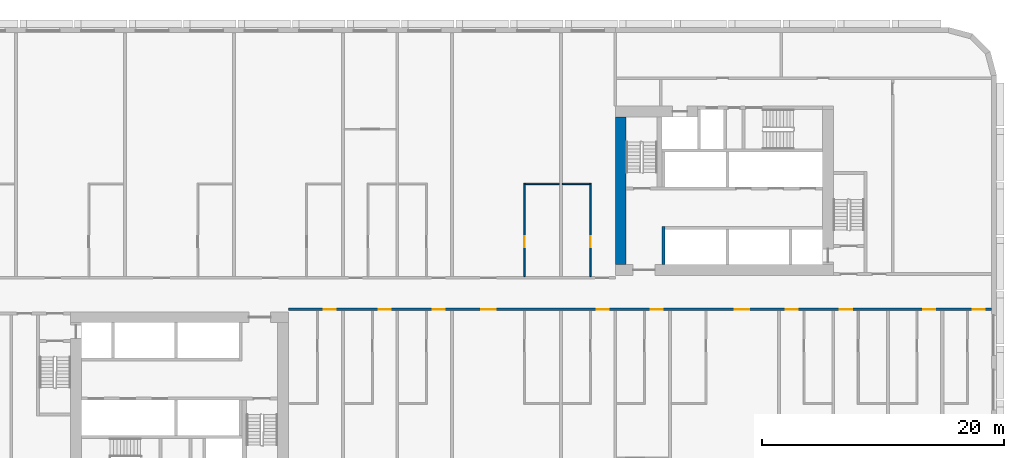
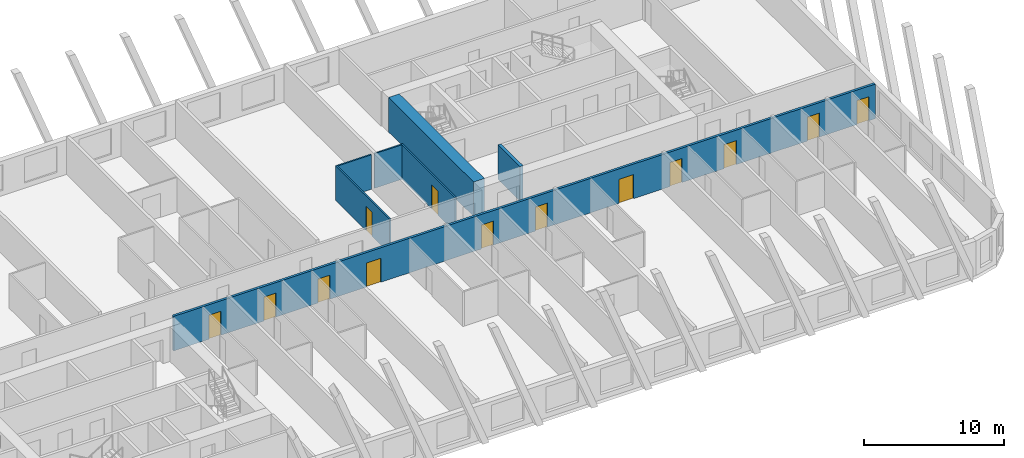
# One storey, part 5 of 13: 13 doors, 7 walls, 13 openings.
"""IFC4 building model written with IfcOpenShell, lengths in metres."""

from ifc_helpers import new_model, si_unit, direction, frame, frame_2d, origin, place, context, subcontext, project, spatial, rectangle, extrude, material, layer, layer_set, type_object, element, fill, save


model = new_model("IFC4")

# Units and contexts
model_context = context("Model", 3, precision=1e-05, world=origin(), true_north=direction((0.0, 1.0)))
body_context = subcontext(model_context, "Body", "Model", "MODEL_VIEW")
ifc_project = project(units=[si_unit("LENGTHUNIT", "METRE"), si_unit("AREAUNIT", "SQUARE_METRE"), si_unit("VOLUMEUNIT", "CUBIC_METRE"), si_unit("PLANEANGLEUNIT", "RADIAN"), si_unit("MASSUNIT", "GRAM", prefix="KILO")], contexts=[model_context])

# Site, building, storey
site_placement = place(None, origin())
site = spatial("IfcSite", under=ifc_project, at=site_placement, CompositionType="ELEMENT")
building_placement = place(site_placement, origin())
building = spatial("IfcBuilding", under=site, at=building_placement, Name="Kajstack Hotel Tower", CompositionType="ELEMENT")
storey_placement = place(building_placement, frame((0.0, 0.0, 79.800048828125)))
storey = spatial("IfcBuildingStorey", under=building, at=storey_placement, Name="L15", CompositionType="ELEMENT", Elevation=79.800048828125)

# Wall
ifc_material_1 = material(Name="Concrete C60/75", Category="concrete")
ifc_layer_1 = layer(ifc_material_1, 0.89990234375)
ifc_layer_set_1 = layer_set([ifc_layer_1], Name="Core wall 900")
wall_type_1 = type_object("IfcWallType", Name="Core wall 900", PredefinedType="SHEAR", material=ifc_layer_set_1)
wall_1_placement = place(storey_placement, frame((13.949951171875, 2.39990234375, 0.0), z_axis=(0.0, 0.0, 1.0), x_axis=(0.0, 1.0, 0.0)))
element("IfcWall", 1, at=wall_1_placement, inside=storey, type_object=wall_type_1, Name="Core wall E RE", PredefinedType="SHEAR", context=body_context, shape_type="SweptSolid", body=[
    extrude(rectangle(XDim=12.2001953125, YDim=0.89990234375, at=frame_2d((6.10009765625, 0.0))), origin(), (0.0, 0.0, 1.0), 3.02001953125),
])

# Wall, openings, doors
ifc_material_2 = material(Name="Gypsum board on steel studs, mineral wool", Category="steel")
ifc_layer_2 = layer(ifc_material_2, 0.199951171875)
ifc_layer_set_2 = layer_set([ifc_layer_2], Name="Corridor wall 200")
wall_type_2 = type_object("IfcWallType", Name="Corridor wall 200", PredefinedType="PARTITIONING", material=ifc_layer_set_2)
wall_2_placement = place(storey_placement, frame((-13.5, -1.300048828125, 0.0), z_axis=(0.0, 0.0, 1.0), x_axis=(1.0, 0.0, 0.0)))
wall_2 = element("IfcWall", 2, at=wall_2_placement, inside=storey, type_object=wall_type_2, Name="G-wall-L15-024", PredefinedType="PARTITIONING", context=body_context, shape_type="SweptSolid", body=[
    extrude(rectangle(XDim=58.050048828125, YDim=0.199951171875, at=frame_2d((29.02490234375, 0.0))), origin(), (0.0, 0.0, 1.0), 3.02001953125),
])
opening_1_placement = place(wall_2_placement, frame((2.925048828125, 0.0, 0.0)))
opening_1 = element("IfcOpeningElement", 3, at=opening_1_placement, cuts=wall_2, Name="Opening 15020", PredefinedType="OPENING", context=body_context, shape_type="SweptSolid", body=[
    extrude(rectangle(XDim=1.0, YDim=2.10009765625, at=frame_2d((0.5, 1.050048828125))), frame((0.0, 0.10986328125, 0.0), z_axis=(0.0, -1.0, 0.0), x_axis=(1.0, 0.0, 0.0)), (0.0, 0.0, 1.0), 0.219970703125),
])
opening_2_placement = place(wall_2_placement, frame((7.449951171875, 0.0, 0.0)))
opening_2 = element("IfcOpeningElement", 4, at=opening_2_placement, cuts=wall_2, Name="Opening 15022", PredefinedType="OPENING", context=body_context, shape_type="SweptSolid", body=[
    extrude(rectangle(XDim=1.0, YDim=2.10009765625, at=frame_2d((0.5, 1.050048828125))), frame((0.0, 0.10986328125, 0.0), z_axis=(0.0, -1.0, 0.0), x_axis=(1.0, 0.0, 0.0)), (0.0, 0.0, 1.0), 0.219970703125),
])
opening_3_placement = place(wall_2_placement, frame((11.925048828125, 0.0, 0.0)))
opening_3 = element("IfcOpeningElement", 5, at=opening_3_placement, cuts=wall_2, Name="Opening 15024", PredefinedType="OPENING", context=body_context, shape_type="SweptSolid", body=[
    extrude(rectangle(XDim=1.0, YDim=2.10009765625, at=frame_2d((0.5, 1.050048828125))), frame((0.0, 0.10986328125, 0.0), z_axis=(0.0, -1.0, 0.0), x_axis=(1.0, 0.0, 0.0)), (0.0, 0.0, 1.0), 0.219970703125),
])
opening_4_placement = place(wall_2_placement, frame((15.93798828125, 0.0, 0.0)))
opening_4 = element("IfcOpeningElement", 6, at=opening_4_placement, cuts=wall_2, Name="Opening 15026", PredefinedType="OPENING", context=body_context, shape_type="SweptSolid", body=[
    extrude(rectangle(XDim=1.199951171875, YDim=2.10009765625, at=frame_2d((0.60009765625, 1.050048828125))), frame((0.0, 0.10986328125, 0.0), z_axis=(0.0, -1.0, 0.0), x_axis=(1.0, 0.0, 0.0)), (0.0, 0.0, 1.0), 0.219970703125),
])
opening_5_placement = place(wall_2_placement, frame((25.449951171875, 0.0, 0.0)))
opening_5 = element("IfcOpeningElement", 7, at=opening_5_placement, cuts=wall_2, Name="Opening 15028", PredefinedType="OPENING", context=body_context, shape_type="SweptSolid", body=[
    extrude(rectangle(XDim=1.0, YDim=2.10009765625, at=frame_2d((0.5, 1.050048828125))), frame((0.0, 0.10986328125, 0.0), z_axis=(0.0, -1.0, 0.0), x_axis=(1.0, 0.0, 0.0)), (0.0, 0.0, 1.0), 0.219970703125),
])
opening_6_placement = place(wall_2_placement, frame((29.925048828125, 0.0, 0.0)))
opening_6 = element("IfcOpeningElement", 8, at=opening_6_placement, cuts=wall_2, Name="Opening 15030", PredefinedType="OPENING", context=body_context, shape_type="SweptSolid", body=[
    extrude(rectangle(XDim=1.0, YDim=2.10009765625, at=frame_2d((0.5, 1.050048828125))), frame((0.0, 0.10986328125, 0.0), z_axis=(0.0, -1.0, 0.0), x_axis=(1.0, 0.0, 0.0)), (0.0, 0.0, 1.0), 0.219970703125),
])
opening_7_placement = place(wall_2_placement, frame((36.862060546875, 0.0, 0.0)))
opening_7 = element("IfcOpeningElement", 9, at=opening_7_placement, cuts=wall_2, Name="Opening 15033", PredefinedType="OPENING", context=body_context, shape_type="SweptSolid", body=[
    extrude(rectangle(XDim=1.199951171875, YDim=2.10009765625, at=frame_2d((0.60009765625, 1.050048828125))), frame((0.0, 0.10986328125, 0.0), z_axis=(0.0, -1.0, 0.0), x_axis=(1.0, 0.0, 0.0)), (0.0, 0.0, 1.0), 0.219970703125),
])
opening_8_placement = place(wall_2_placement, frame((41.074951171875, 0.0, 0.0)))
opening_8 = element("IfcOpeningElement", 10, at=opening_8_placement, cuts=wall_2, Name="Opening 15035", PredefinedType="OPENING", context=body_context, shape_type="SweptSolid", body=[
    extrude(rectangle(XDim=1.0, YDim=2.10009765625, at=frame_2d((0.5, 1.050048828125))), frame((0.0, 0.10986328125, 0.0), z_axis=(0.0, -1.0, 0.0), x_axis=(1.0, 0.0, 0.0)), (0.0, 0.0, 1.0), 0.219970703125),
])
opening_9_placement = place(wall_2_placement, frame((45.550048828125, 0.0, 0.0)))
opening_9 = element("IfcOpeningElement", 11, at=opening_9_placement, cuts=wall_2, Name="Opening 15037", PredefinedType="OPENING", context=body_context, shape_type="SweptSolid", body=[
    extrude(rectangle(XDim=1.0, YDim=2.10009765625, at=frame_2d((0.5, 1.050048828125))), frame((0.0, 0.10986328125, 0.0), z_axis=(0.0, -1.0, 0.0), x_axis=(1.0, 0.0, 0.0)), (0.0, 0.0, 1.0), 0.219970703125),
])
opening_10_placement = place(wall_2_placement, frame((52.425048828125, 0.0, 0.0)))
opening_10 = element("IfcOpeningElement", 12, at=opening_10_placement, cuts=wall_2, Name="Opening 15039", PredefinedType="OPENING", context=body_context, shape_type="SweptSolid", body=[
    extrude(rectangle(XDim=1.0, YDim=2.10009765625, at=frame_2d((0.5, 1.050048828125))), frame((0.0, 0.10986328125, 0.0), z_axis=(0.0, -1.0, 0.0), x_axis=(1.0, 0.0, 0.0)), (0.0, 0.0, 1.0), 0.219970703125),
])
opening_11_placement = place(wall_2_placement, frame((56.52490234375, 0.0, 0.0)))
opening_11 = element("IfcOpeningElement", 13, at=opening_11_placement, cuts=wall_2, Name="Opening 15041", PredefinedType="OPENING", context=body_context, shape_type="SweptSolid", body=[
    extrude(rectangle(XDim=1.0, YDim=2.10009765625, at=frame_2d((0.5, 1.050048828125))), frame((0.0, 0.10986328125, 0.0), z_axis=(0.0, -1.0, 0.0), x_axis=(1.0, 0.0, 0.0)), (0.0, 0.0, 1.0), 0.219970703125),
])
ifc_material_3 = material(Name="Oak veneer on timber core, fire-rated leaf", Category="wood")
door_type_1 = type_object("IfcDoorType", Name="Flat entrance door 1000", OperationType="SINGLE_SWING_LEFT", PredefinedType="DOOR", material=ifc_material_3)
door_1_placement = place(opening_1_placement, origin())
door_1 = element("IfcDoor", 14, at=door_1_placement, inside=storey, type_object=door_type_1, Name="G-door-L15-20", OperationType="SINGLE_SWING_LEFT", OverallHeight=2.10009765625, OverallWidth=1.0, PredefinedType="DOOR", context=body_context, shape_type="SweptSolid", body=[
    extrude(rectangle(XDim=1.0, YDim=2.10009765625, at=frame_2d((0.5, 1.050048828125))), frame((0.0, 0.02490234375, 0.0), z_axis=(0.0, -1.0, 0.0), x_axis=(1.0, 0.0, 0.0)), (0.0, 0.0, 1.0), 0.050048828125),
])
fill(opening_1, door_1)
door_2_placement = place(opening_2_placement, origin())
door_2 = element("IfcDoor", 15, at=door_2_placement, inside=storey, type_object=door_type_1, Name="G-door-L15-22", OperationType="SINGLE_SWING_LEFT", OverallHeight=2.10009765625, OverallWidth=1.0, PredefinedType="DOOR", context=body_context, shape_type="SweptSolid", body=[
    extrude(rectangle(XDim=1.0, YDim=2.10009765625, at=frame_2d((0.5, 1.050048828125))), frame((0.0, 0.02490234375, 0.0), z_axis=(0.0, -1.0, 0.0), x_axis=(1.0, 0.0, 0.0)), (0.0, 0.0, 1.0), 0.050048828125),
])
fill(opening_2, door_2)
door_3_placement = place(opening_3_placement, origin())
door_3 = element("IfcDoor", 16, at=door_3_placement, inside=storey, type_object=door_type_1, Name="G-door-L15-24", OperationType="SINGLE_SWING_RIGHT", OverallHeight=2.10009765625, OverallWidth=1.0, PredefinedType="DOOR", context=body_context, shape_type="SweptSolid", body=[
    extrude(rectangle(XDim=1.0, YDim=2.10009765625, at=frame_2d((0.5, 1.050048828125))), frame((0.0, 0.02490234375, 0.0), z_axis=(0.0, -1.0, 0.0), x_axis=(1.0, 0.0, 0.0)), (0.0, 0.0, 1.0), 0.050048828125),
])
fill(opening_3, door_3)
door_4_placement = place(opening_5_placement, origin())
door_4 = element("IfcDoor", 17, at=door_4_placement, inside=storey, type_object=door_type_1, Name="G-door-L15-28", OperationType="SINGLE_SWING_RIGHT", OverallHeight=2.10009765625, OverallWidth=1.0, PredefinedType="DOOR", context=body_context, shape_type="SweptSolid", body=[
    extrude(rectangle(XDim=1.0, YDim=2.10009765625, at=frame_2d((0.5, 1.050048828125))), frame((0.0, 0.02490234375, 0.0), z_axis=(0.0, -1.0, 0.0), x_axis=(1.0, 0.0, 0.0)), (0.0, 0.0, 1.0), 0.050048828125),
])
fill(opening_5, door_4)
door_5_placement = place(opening_6_placement, origin())
door_5 = element("IfcDoor", 18, at=door_5_placement, inside=storey, type_object=door_type_1, Name="G-door-L15-30", OperationType="SINGLE_SWING_RIGHT", OverallHeight=2.10009765625, OverallWidth=1.0, PredefinedType="DOOR", context=body_context, shape_type="SweptSolid", body=[
    extrude(rectangle(XDim=1.0, YDim=2.10009765625, at=frame_2d((0.5, 1.050048828125))), frame((0.0, 0.02490234375, 0.0), z_axis=(0.0, -1.0, 0.0), x_axis=(1.0, 0.0, 0.0)), (0.0, 0.0, 1.0), 0.050048828125),
])
fill(opening_6, door_5)
door_6_placement = place(opening_8_placement, origin())
door_6 = element("IfcDoor", 19, at=door_6_placement, inside=storey, type_object=door_type_1, Name="G-door-L15-35", OperationType="SINGLE_SWING_LEFT", OverallHeight=2.10009765625, OverallWidth=1.0, PredefinedType="DOOR", context=body_context, shape_type="SweptSolid", body=[
    extrude(rectangle(XDim=1.0, YDim=2.10009765625, at=frame_2d((0.5, 1.050048828125))), frame((0.0, 0.02490234375, 0.0), z_axis=(0.0, -1.0, 0.0), x_axis=(1.0, 0.0, 0.0)), (0.0, 0.0, 1.0), 0.050048828125),
])
fill(opening_8, door_6)
door_7_placement = place(opening_9_placement, origin())
door_7 = element("IfcDoor", 20, at=door_7_placement, inside=storey, type_object=door_type_1, Name="G-door-L15-37", OperationType="SINGLE_SWING_RIGHT", OverallHeight=2.10009765625, OverallWidth=1.0, PredefinedType="DOOR", context=body_context, shape_type="SweptSolid", body=[
    extrude(rectangle(XDim=1.0, YDim=2.10009765625, at=frame_2d((0.5, 1.050048828125))), frame((0.0, 0.02490234375, 0.0), z_axis=(0.0, -1.0, 0.0), x_axis=(1.0, 0.0, 0.0)), (0.0, 0.0, 1.0), 0.050048828125),
])
fill(opening_9, door_7)
door_8_placement = place(opening_10_placement, origin())
door_8 = element("IfcDoor", 21, at=door_8_placement, inside=storey, type_object=door_type_1, Name="G-door-L15-39", OperationType="SINGLE_SWING_LEFT", OverallHeight=2.10009765625, OverallWidth=1.0, PredefinedType="DOOR", context=body_context, shape_type="SweptSolid", body=[
    extrude(rectangle(XDim=1.0, YDim=2.10009765625, at=frame_2d((0.5, 1.050048828125))), frame((0.0, 0.02490234375, 0.0), z_axis=(0.0, -1.0, 0.0), x_axis=(1.0, 0.0, 0.0)), (0.0, 0.0, 1.0), 0.050048828125),
])
fill(opening_10, door_8)
door_9_placement = place(opening_11_placement, origin())
door_9 = element("IfcDoor", 22, at=door_9_placement, inside=storey, type_object=door_type_1, Name="G-door-L15-41", OperationType="SINGLE_SWING_LEFT", OverallHeight=2.10009765625, OverallWidth=1.0, PredefinedType="DOOR", context=body_context, shape_type="SweptSolid", body=[
    extrude(rectangle(XDim=1.0, YDim=2.10009765625, at=frame_2d((0.5, 1.050048828125))), frame((0.0, 0.02490234375, 0.0), z_axis=(0.0, -1.0, 0.0), x_axis=(1.0, 0.0, 0.0)), (0.0, 0.0, 1.0), 0.050048828125),
])
fill(opening_11, door_9)
door_type_2 = type_object("IfcDoorType", Name="Flat entrance door 1200", OperationType="SINGLE_SWING_LEFT", PredefinedType="DOOR", material=ifc_material_3)
door_10_placement = place(opening_4_placement, origin())
door_10 = element("IfcDoor", 23, at=door_10_placement, inside=storey, type_object=door_type_2, Name="G-door-L15-26", OperationType="SINGLE_SWING_RIGHT", OverallHeight=2.10009765625, OverallWidth=1.199951171875, PredefinedType="DOOR", context=body_context, shape_type="SweptSolid", body=[
    extrude(rectangle(XDim=1.199951171875, YDim=2.10009765625, at=frame_2d((0.60009765625, 1.050048828125))), frame((0.0, 0.02490234375, 0.0), z_axis=(0.0, -1.0, 0.0), x_axis=(1.0, 0.0, 0.0)), (0.0, 0.0, 1.0), 0.050048828125),
])
fill(opening_4, door_10)
door_11_placement = place(opening_7_placement, origin())
door_11 = element("IfcDoor", 24, at=door_11_placement, inside=storey, type_object=door_type_2, Name="G-door-L15-33", OperationType="SINGLE_SWING_LEFT", OverallHeight=2.10009765625, OverallWidth=1.199951171875, PredefinedType="DOOR", context=body_context, shape_type="SweptSolid", body=[
    extrude(rectangle(XDim=1.199951171875, YDim=2.10009765625, at=frame_2d((0.60009765625, 1.050048828125))), frame((0.0, 0.02490234375, 0.0), z_axis=(0.0, -1.0, 0.0), x_axis=(1.0, 0.0, 0.0)), (0.0, 0.0, 1.0), 0.050048828125),
])
fill(opening_7, door_11)

# Wall, opening, door
ifc_material_4 = material(Name="Gypsum board and tiled backer on steel studs", Category="steel")
ifc_layer_3 = layer(ifc_material_4, 0.125)
ifc_layer_set_3 = layer_set([ifc_layer_3], Name="En-suite wall 125")
wall_type_3 = type_object("IfcWallType", Name="En-suite wall 125", PredefinedType="PARTITIONING", material=ifc_layer_set_3)
wall_3_placement = place(storey_placement, frame((6.012939453125, 1.39990234375, 0.0), z_axis=(0.0, 0.0, 1.0), x_axis=(0.0, 1.0, 0.0)))
wall_3 = element("IfcWall", 25, at=wall_3_placement, inside=storey, type_object=wall_type_3, Name="G-wall-L15-020", PredefinedType="PARTITIONING", context=body_context, shape_type="SweptSolid", body=[
    extrude(rectangle(XDim=7.72509765625, YDim=0.125, at=frame_2d((3.862548828125, 0.0))), origin(), (0.0, 0.0, 1.0), 3.02001953125),
])
opening_12_placement = place(wall_3_placement, frame((2.449951171875, 0.0, 0.0)))
opening_12 = element("IfcOpeningElement", 26, at=opening_12_placement, cuts=wall_3, Name="Opening 15017", PredefinedType="OPENING", context=body_context, shape_type="SweptSolid", body=[
    extrude(rectangle(XDim=0.89990234375, YDim=2.10009765625, at=frame_2d((0.449951171875, 1.050048828125))), frame((0.0, 0.072509765625, 0.0), z_axis=(0.0, -1.0, 0.0), x_axis=(1.0, 0.0, 0.0)), (0.0, 0.0, 1.0), 0.14501953125),
])
ifc_material_5 = material(Name="Painted timber door leaf", Category="wood")
door_type_3 = type_object("IfcDoorType", Name="Room door 900", OperationType="SINGLE_SWING_LEFT", PredefinedType="DOOR", material=ifc_material_5)
door_12_placement = place(opening_12_placement, origin())
door_12 = element("IfcDoor", 27, at=door_12_placement, inside=storey, type_object=door_type_3, Name="G-door-L15-17", OperationType="SINGLE_SWING_LEFT", OverallHeight=2.10009765625, OverallWidth=0.89990234375, PredefinedType="DOOR", context=body_context, shape_type="SweptSolid", body=[
    extrude(rectangle(XDim=0.89990234375, YDim=2.10009765625, at=frame_2d((0.449951171875, 1.050048828125))), frame((0.0, 0.02490234375, 0.0), z_axis=(0.0, -1.0, 0.0), x_axis=(1.0, 0.0, 0.0)), (0.0, 0.0, 1.0), 0.050048828125),
])
fill(opening_12, door_12)

# Wall
wall_4_placement = place(storey_placement, frame((6.074951171875, 9.06201171875, 0.0), z_axis=(0.0, 0.0, 1.0), x_axis=(1.0, 0.0, 0.0)))
element("IfcWall", 28, at=wall_4_placement, inside=storey, type_object=wall_type_3, Name="G-wall-L15-021", PredefinedType="PARTITIONING", context=body_context, shape_type="SweptSolid", body=[
    extrude(rectangle(XDim=2.800048828125, YDim=0.125, at=frame_2d((1.39990234375, 0.0))), origin(), (0.0, 0.0, 1.0), 3.02001953125),
])

# Wall, opening, door
wall_5_placement = place(storey_placement, frame((11.43798828125, 1.39990234375, 0.0), z_axis=(0.0, 0.0, 1.0), x_axis=(0.0, 1.0, 0.0)))
wall_5 = element("IfcWall", 29, at=wall_5_placement, inside=storey, type_object=wall_type_3, Name="G-wall-L15-022", PredefinedType="PARTITIONING", context=body_context, shape_type="SweptSolid", body=[
    extrude(rectangle(XDim=7.72509765625, YDim=0.125, at=frame_2d((3.862548828125, 0.0))), origin(), (0.0, 0.0, 1.0), 3.02001953125),
])
opening_13_placement = place(wall_5_placement, frame((2.449951171875, 0.0, 0.0)))
opening_13 = element("IfcOpeningElement", 30, at=opening_13_placement, cuts=wall_5, Name="Opening 15019", PredefinedType="OPENING", context=body_context, shape_type="SweptSolid", body=[
    extrude(rectangle(XDim=0.89990234375, YDim=2.10009765625, at=frame_2d((0.449951171875, 1.050048828125))), frame((0.0, 0.072509765625, 0.0), z_axis=(0.0, -1.0, 0.0), x_axis=(1.0, 0.0, 0.0)), (0.0, 0.0, 1.0), 0.14501953125),
])
door_13_placement = place(opening_13_placement, origin())
door_13 = element("IfcDoor", 31, at=door_13_placement, inside=storey, type_object=door_type_3, Name="G-door-L15-19", OperationType="SINGLE_SWING_LEFT", OverallHeight=2.10009765625, OverallWidth=0.89990234375, PredefinedType="DOOR", context=body_context, shape_type="SweptSolid", body=[
    extrude(rectangle(XDim=0.89990234375, YDim=2.10009765625, at=frame_2d((0.449951171875, 1.050048828125))), frame((0.0, 0.02490234375, 0.0), z_axis=(0.0, -1.0, 0.0), x_axis=(1.0, 0.0, 0.0)), (0.0, 0.0, 1.0), 0.050048828125),
])
fill(opening_13, door_13)

# Walls
wall_6_placement = place(storey_placement, frame((9.125, 9.06201171875, 0.0), z_axis=(0.0, 0.0, 1.0), x_axis=(1.0, 0.0, 0.0)))
element("IfcWall", 32, at=wall_6_placement, inside=storey, type_object=wall_type_3, Name="G-wall-L15-023", PredefinedType="PARTITIONING", context=body_context, shape_type="SweptSolid", body=[
    extrude(rectangle(XDim=2.25, YDim=0.125, at=frame_2d((1.125, 0.0))), origin(), (0.0, 0.0, 1.0), 3.02001953125),
])
ifc_material_6 = material(Name="Concrete C50/60", Category="concrete")
ifc_layer_4 = layer(ifc_material_6, 0.25)
ifc_layer_set_4 = layer_set([ifc_layer_4], Name="Shaft wall 250")
wall_type_4 = type_object("IfcWallType", Name="Shaft wall 250", PredefinedType="SHEAR", material=ifc_layer_set_4)
wall_7_placement = place(storey_placement, frame((17.47509765625, 2.39990234375, 0.0), z_axis=(0.0, 0.0, 1.0), x_axis=(0.0, 1.0, 0.0)))
element("IfcWall", 33, at=wall_7_placement, inside=storey, type_object=wall_type_4, Name="Core wall E AE", PredefinedType="SHEAR", context=body_context, shape_type="SweptSolid", body=[
    extrude(rectangle(XDim=3.150146484375, YDim=0.25, at=frame_2d((1.5751953125, 0.0))), origin(), (0.0, 0.0, 1.0), 3.02001953125),
])

save(model, "model.ifc")
